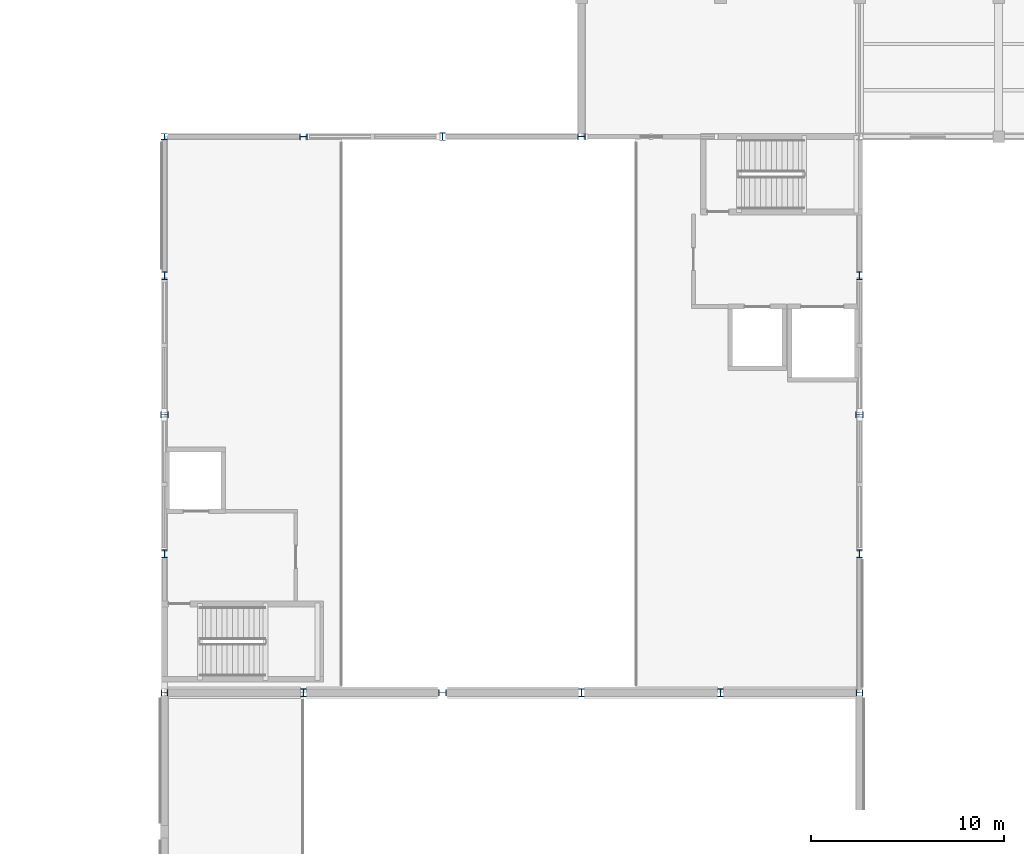
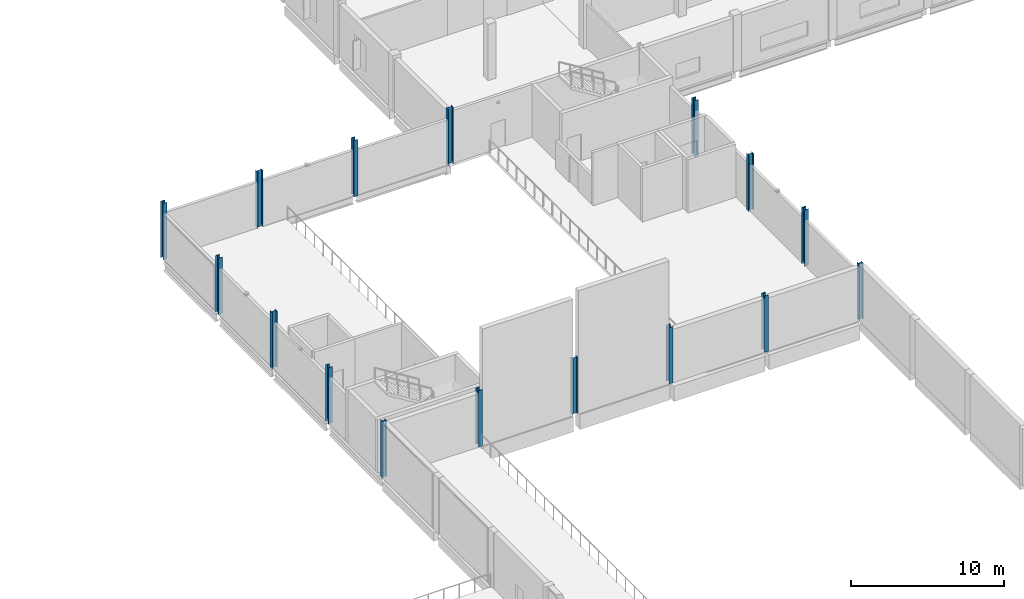
# One storey, part 2 of 76: 16 columns.
"""IFC4 building model written with IfcOpenShell, lengths in metres."""

from ifc_helpers import new_model, si_unit, direction, frame, origin, origin_2d, place, context, subcontext, project, spatial, i_section, extrude, material, material_profile, profile_set, type_object, element, save


model = new_model("IFC4")

# Units and contexts
model_context = context("Model", 3, precision=1e-05, world=origin(), true_north=direction((0.0, 1.0)))
body_context = subcontext(model_context, "Body", "Model", "MODEL_VIEW")
ifc_project = project(units=[si_unit("LENGTHUNIT", "METRE"), si_unit("AREAUNIT", "SQUARE_METRE"), si_unit("VOLUMEUNIT", "CUBIC_METRE"), si_unit("PLANEANGLEUNIT", "RADIAN"), si_unit("MASSUNIT", "GRAM", prefix="KILO"), si_unit("THERMODYNAMICTEMPERATUREUNIT", "KELVIN"), si_unit("POWERUNIT", "WATT")], contexts=[model_context])

# Site, building, storey
site_placement = place(None, origin())
site = spatial("IfcSite", under=ifc_project, at=site_placement, CompositionType="ELEMENT")
building_placement = place(site_placement, origin())
building = spatial("IfcBuilding", under=site, at=building_placement, Name="Kaldorven Railside Theatre", CompositionType="ELEMENT")
storey_placement = place(building_placement, frame((0.0, 0.0, 14.39990234375)))
storey = spatial("IfcBuildingStorey", under=building, at=storey_placement, Name="L03", CompositionType="ELEMENT", Elevation=14.39990234375)

# Columns
ifc_material = material(Name="Steel S355", Category="steel")
ifc_material_profile_1 = material_profile(ifc_material, i_section(OverallWidth=0.300048828125, OverallDepth=0.39990234375, WebThickness=0.013427734375, FlangeThickness=0.02392578125, at=origin_2d()), Name="HEB 400")
ifc_profile_set_1 = profile_set([ifc_material_profile_1], Name="Steel S355")
column_type_1 = type_object("IfcColumnType", Name="COL-HEB400", PredefinedType="COLUMN", material=ifc_profile_set_1)
for number, where, z_axis, x_axis, name in (
    (1, (94.39990234375, 84.0, 0.0), (0.0, 0.0, 1.0), (1.0, 0.0, 0.0), "L03 Column CG-L03-094-084"),
    (2, (101.60009765625, 84.0, 0.0), (0.0, 0.0, 1.0), (0.0, 1.0, 0.0), "L03 Column CG-L03-101-084"),
    (3, (108.800048828125, 84.0, 0.0), (0.0, 0.0, 1.0), (1.0, 0.0, 0.0), "L03 Column CG-L03-108-084"),
    (4, (116.0, 84.0, 0.0), (0.0, 0.0, 1.0), (1.0, 0.0, 0.0), "L03 Column CG-L03-116-084"),
    (5, (87.199951171875, 91.199951171875, 0.0), (0.0, 0.0, 1.0), (1.0, 0.0, 0.0), "L03 Column CG-L03-087-091"),
    (6, (123.199951171875, 91.199951171875, 0.0), (0.0, 0.0, 1.0), (1.0, 0.0, 0.0), "L03 Column CG-L03-123-091"),
    (7, (87.199951171875, 98.39990234375, 0.0), (0.0, 0.0, 1.0), (0.0, 1.0, 0.0), "L03 Column CG-L03-087-098"),
    (8, (123.199951171875, 98.39990234375, 0.0), (0.0, 0.0, 1.0), (0.0, 1.0, 0.0), "L03 Column CG-L03-123-098"),
    (9, (87.199951171875, 105.60009765625, 0.0), (0.0, 0.0, 1.0), (1.0, 0.0, 0.0), "L03 Column CG-L03-087-105"),
    (10, (123.199951171875, 105.60009765625, 0.0), (0.0, 0.0, 1.0), (1.0, 0.0, 0.0), "L03 Column CG-L03-123-105"),
    (11, (94.39990234375, 112.800048828125, 0.0), (0.0, 0.0, 1.0), (0.0, 1.0, 0.0), "L03 Column CG-L03-094-112"),
    (12, (101.60009765625, 112.800048828125, 0.0), (0.0, 0.0, 1.0), (1.0, 0.0, 0.0), "L03 Column CG-L03-101-112"),
    (13, (108.800048828125, 112.800048828125, 0.0), (0.0, 0.0, 1.0), (0.0, 1.0, 0.0), "L03 Column CG-L03-108-112"),
):
    element("IfcColumn", number, at=place(storey_placement, frame(where, z_axis=z_axis, x_axis=x_axis)), inside=storey, type_object=column_type_1, Name=name, PredefinedType="COLUMN", context=body_context, shape_type="SweptSolid", body=[
        extrude(i_section(OverallWidth=0.300048828125, OverallDepth=0.39990234375, WebThickness=0.013427734375, FlangeThickness=0.02392578125, at=origin_2d()), origin(), (0.0, 0.0, 1.0), 4.5),
    ])
ifc_material_profile_2 = material_profile(ifc_material, i_section(OverallWidth=0.30908203125, OverallDepth=0.320556640625, WebThickness=0.013916015625, FlangeThickness=0.021728515625, at=origin_2d()), Name="UC 305x305x137")
ifc_profile_set_2 = profile_set([ifc_material_profile_2], Name="Steel S355")
column_type_2 = type_object("IfcColumnType", Name="COL-UC305", PredefinedType="COLUMN", material=ifc_profile_set_2)
for number, where, z_axis, x_axis, name in (
    (14, (87.199951171875, 84.0, 0.0), (0.0, 0.0, 1.0), (0.0, 1.0, 0.0), "L03 Column CG-L03-087-084"),
    (15, (123.199951171875, 84.0, 0.0), (0.0, 0.0, 1.0), (0.0, 1.0, 0.0), "L03 Column CG-L03-123-084"),
    (16, (87.199951171875, 112.800048828125, 0.0), (0.0, 0.0, 1.0), (1.0, 0.0, 0.0), "L03 Column CG-L03-087-112"),
):
    element("IfcColumn", number, at=place(storey_placement, frame(where, z_axis=z_axis, x_axis=x_axis)), inside=storey, type_object=column_type_2, Name=name, PredefinedType="COLUMN", context=body_context, shape_type="SweptSolid", body=[
        extrude(i_section(OverallWidth=0.30908203125, OverallDepth=0.320556640625, WebThickness=0.013916015625, FlangeThickness=0.021728515625, at=origin_2d()), origin(), (0.0, 0.0, 1.0), 4.5),
    ])

save(model, "model.ifc")
